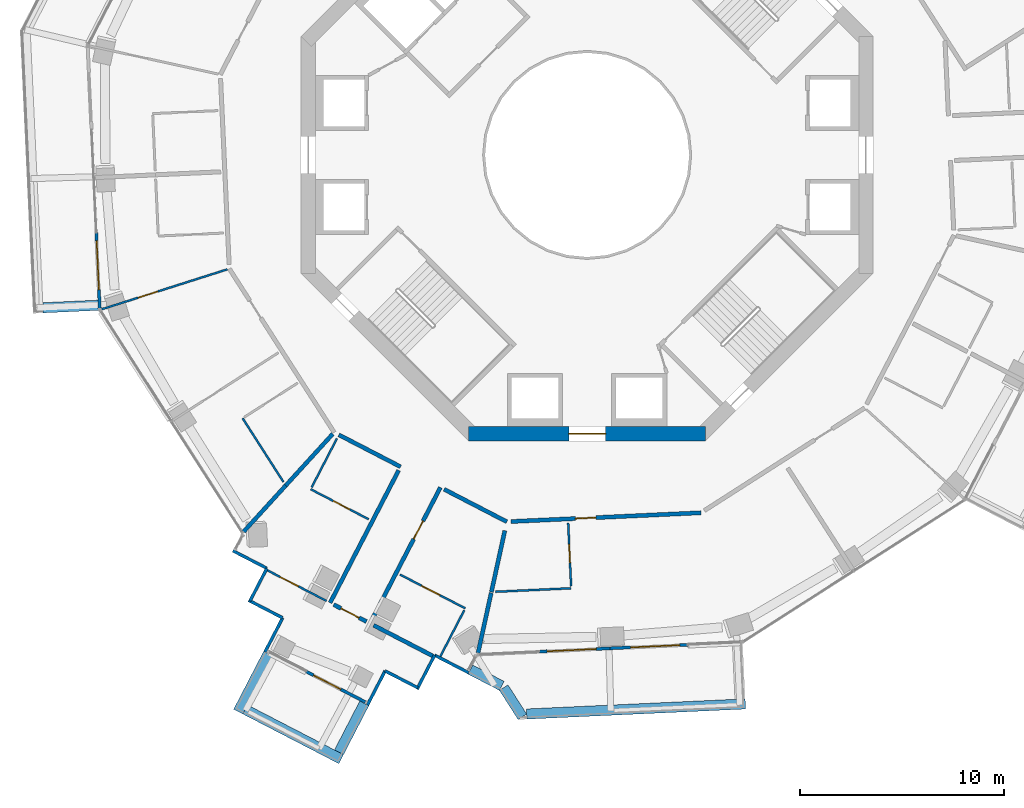
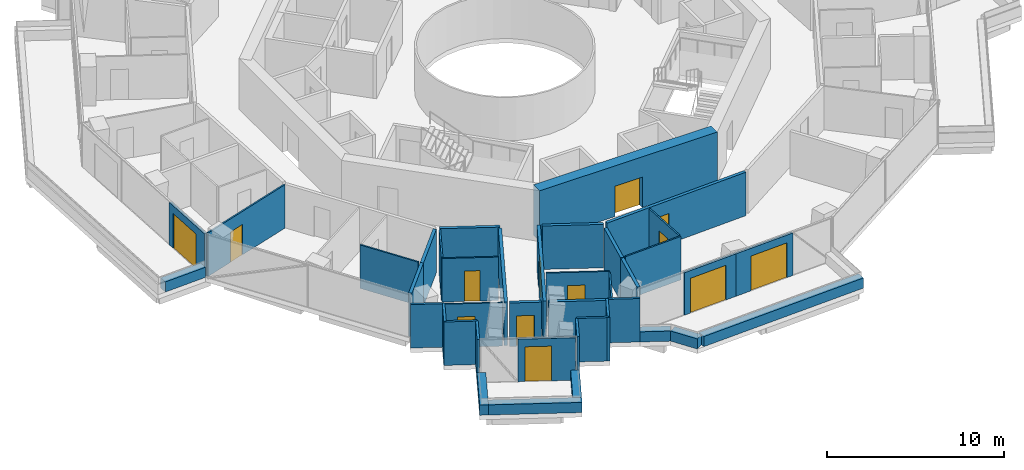
# One storey, part 14 of 22: 40 walls, 13 doors, 13 openings.
"""IFC4 building model written with IfcOpenShell, lengths in metres."""

from ifc_helpers import new_model, si_unit, direction, frame, frame_2d, origin, place, context, subcontext, project, spatial, rectangle, extrude, material, layer, layer_set, type_object, element, fill, save


model = new_model("IFC4")

# Units and contexts
model_context = context("Model", 3, precision=1e-05, world=origin(), true_north=direction((0.0, 1.0)))
body_context = subcontext(model_context, "Body", "Model", "MODEL_VIEW")
ifc_project = project(units=[si_unit("LENGTHUNIT", "METRE"), si_unit("AREAUNIT", "SQUARE_METRE"), si_unit("VOLUMEUNIT", "CUBIC_METRE"), si_unit("PLANEANGLEUNIT", "RADIAN"), si_unit("MASSUNIT", "GRAM", prefix="KILO")], contexts=[model_context])

# Site, building, storey
site_placement = place(None, origin())
site = spatial("IfcSite", under=ifc_project, at=site_placement, CompositionType="ELEMENT")
building_placement = place(site_placement, origin())
building = spatial("IfcBuilding", under=site, at=building_placement, Name="Verdalira Terraces Hotel", CompositionType="ELEMENT")
storey_placement = place(building_placement, frame((0.0, 0.0, 165.5)))
storey = spatial("IfcBuildingStorey", under=building, at=storey_placement, Name="L40", CompositionType="ELEMENT", Elevation=165.5)

# Walls
ifc_material_1 = material(Name="Concrete C40", Category="concrete")
ifc_layer_1 = layer(ifc_material_1, 0.5)
ifc_layer_set_1 = layer_set([ifc_layer_1], Name="Balcony planter trough with tree")
wall_type_1 = type_object("IfcWallType", Name="Balcony planter trough with tree", PredefinedType="SOLIDWALL", material=ifc_layer_set_1)
wall_1_placement = place(storey_placement, frame((-26.641846, -7.485107, 0.0), z_axis=(0.0, 0.0, 1.0), x_axis=(0.998939428, 0.046043663, 0.0)))
element("IfcWall", 1, at=wall_1_placement, inside=storey, type_object=wall_type_1, Name="Balcony planter", PredefinedType="SOLIDWALL", context=body_context, shape_type="SweptSolid", body=[
    extrude(rectangle(XDim=2.698975, YDim=0.5, at=frame_2d((1.349609, 0.0))), origin(), (0.0, 0.0, 1.0), 0.699951),
])
wall_2_placement = place(storey_placement, frame((-15.616699, -24.413086, 0.0), z_axis=(0.0, 0.0, 1.0), x_axis=(-0.459564087, -0.888144611, 0.0)))
element("IfcWall", 2, at=wall_2_placement, inside=storey, type_object=wall_type_1, Name="Balcony planter", PredefinedType="SOLIDWALL", context=body_context, shape_type="SweptSolid", body=[
    extrude(rectangle(XDim=3.199219, YDim=0.5, at=frame_2d((1.599609, 0.0))), origin(), (0.0, 0.0, 1.0), 0.699951),
])
wall_3_placement = place(storey_placement, frame((-16.75, -27.147217, 0.0), z_axis=(0.0, 0.0, 1.0), x_axis=(0.888131418, -0.459589583, 0.0)))
element("IfcWall", 3, at=wall_3_placement, inside=storey, type_object=wall_type_1, Name="Balcony planter", PredefinedType="SOLIDWALL", context=body_context, shape_type="SweptSolid", body=[
    extrude(rectangle(XDim=5.299805, YDim=0.5, at=frame_2d((2.649902, 0.0))), origin(), (0.0, 0.0, 1.0), 0.699951),
])
wall_4_placement = place(storey_placement, frame((-12.149902, -29.246094, 0.0), z_axis=(0.0, 0.0, 1.0), x_axis=(0.459509044, 0.888173091, 0.0)))
element("IfcWall", 4, at=wall_4_placement, inside=storey, type_object=wall_type_1, Name="Balcony planter", PredefinedType="SOLIDWALL", context=body_context, shape_type="SweptSolid", body=[
    extrude(rectangle(XDim=2.698975, YDim=0.5, at=frame_2d((1.349609, 0.0))), origin(), (0.0, 0.0, 1.0), 0.699951),
])
wall_5_placement = place(storey_placement, frame((-5.719482, -25.198486, 0.0), z_axis=(0.0, 0.0, 1.0), x_axis=(0.888106482, -0.459637768, 0.0)))
element("IfcWall", 5, at=wall_5_placement, inside=storey, type_object=wall_type_1, Name="Balcony planter", PredefinedType="SOLIDWALL", context=body_context, shape_type="SweptSolid", body=[
    extrude(rectangle(XDim=1.730957, YDim=0.5, at=frame_2d((0.865479, 0.0))), origin(), (0.0, 0.0, 1.0), 0.699951),
])
wall_6_placement = place(storey_placement, frame((-4.086426, -26.081299, 0.0), z_axis=(0.0, 0.0, 1.0), x_axis=(0.539315278, -0.842103931, 0.0)))
element("IfcWall", 6, at=wall_6_placement, inside=storey, type_object=wall_type_1, Name="Balcony planter", PredefinedType="SOLIDWALL", context=body_context, shape_type="SweptSolid", body=[
    extrude(rectangle(XDim=1.694824, YDim=0.5, at=frame_2d((0.847412, 0.0))), origin(), (0.0, 0.0, 1.0), 0.699951),
])
wall_7_placement = place(storey_placement, frame((-2.96167, -27.373779, 0.0), z_axis=(0.0, 0.0, 1.0), x_axis=(0.998939029, 0.046052319, 0.0)))
element("IfcWall", 7, at=wall_7_placement, inside=storey, type_object=wall_type_1, Name="Balcony planter", PredefinedType="SOLIDWALL", context=body_context, shape_type="SweptSolid", body=[
    extrude(rectangle(XDim=10.719482, YDim=0.5, at=frame_2d((5.359863, 0.0))), origin(), (0.0, 0.0, 1.0), 0.699951),
])

# Wall, opening, door
ifc_material_2 = material(Name="Moisture-resistant gypsum board partition")
ifc_layer_2 = layer(ifc_material_2, 0.10009765625)
ifc_layer_set_2 = layer_set([ifc_layer_2], Name="Bathroom partition 100 mm")
wall_type_2 = type_object("IfcWallType", Name="Bathroom partition 100 mm", PredefinedType="PARTITIONING", material=ifc_layer_set_2)
wall_8_placement = place(storey_placement, frame((-23.790283, -7.564941, 0.0), z_axis=(0.0, 0.0, 1.0), x_axis=(0.952980228, 0.303032482, 0.0)))
wall_8 = element("IfcWall", 8, at=wall_8_placement, inside=storey, type_object=wall_type_2, Name="Bathroom partition", PredefinedType="PARTITIONING", context=body_context, shape_type="SweptSolid", body=[
    extrude(rectangle(XDim=6.47583, YDim=0.100098, at=frame_2d((3.237793, 0.0))), origin(), (0.0, 0.0, 1.0), 3.0),
])
opening_1_placement = place(wall_8_placement, frame((1.899902, 0.0, 0.0)))
opening_1 = element("IfcOpeningElement", 9, at=opening_1_placement, cuts=wall_8, Name="Opening L40-112", PredefinedType="OPENING", context=body_context, shape_type="SweptSolid", body=[
    extrude(rectangle(XDim=1.0, YDim=2.100098, at=frame_2d((0.5, 1.050049))), frame((0.0, 0.060059, 0.0), z_axis=(0.0, -1.0, 0.0), x_axis=(1.0, 0.0, 0.0)), (0.0, 0.0, 1.0), 0.120117),
])
ifc_material_3 = material(Name="Timber door", Category="wood")
door_type_1 = type_object("IfcDoorType", Name="Suite internal door 1000 x 2100", OperationType="NOTDEFINED", PredefinedType="DOOR", material=ifc_material_3)
door_1_placement = place(opening_1_placement, origin())
door_1 = element("IfcDoor", 10, at=door_1_placement, inside=storey, type_object=door_type_1, Name="Suite internal door 4003", OperationType="SINGLE_SWING_LEFT", OverallHeight=2.10009765625, OverallWidth=1.0, PredefinedType="DOOR", context=body_context, shape_type="SweptSolid", body=[
    extrude(rectangle(XDim=1.0, YDim=2.100098, at=frame_2d((0.5, 1.050049))), frame((0.0, 0.024902, 0.0), z_axis=(0.0, -1.0, 0.0), x_axis=(1.0, 0.0, 0.0)), (0.0, 0.0, 1.0), 0.050049),
])
fill(opening_1, door_1)

# Wall
wall_9_placement = place(storey_placement, frame((-16.868652, -12.892578, 0.0), z_axis=(0.0, 0.0, 1.0), x_axis=(0.539351049, -0.842081021, 0.0)))
element("IfcWall", 11, at=wall_9_placement, inside=storey, type_object=wall_type_2, Name="Bathroom partition", PredefinedType="PARTITIONING", context=body_context, shape_type="SweptSolid", body=[
    extrude(rectangle(XDim=3.704102, YDim=0.100098, at=frame_2d((1.852051, 0.0))), origin(), (0.0, 0.0, 1.0), 3.0),
])

# Wall, opening, door
wall_10_placement = place(storey_placement, frame((-15.650879, -20.34082, 0.0), z_axis=(0.0, 0.0, 1.0), x_axis=(0.888124663, -0.459602636, 0.0)))
wall_10 = element("IfcWall", 12, at=wall_10_placement, inside=storey, type_object=wall_type_2, Name="Bathroom partition", PredefinedType="PARTITIONING", context=body_context, shape_type="SweptSolid", body=[
    extrude(rectangle(XDim=3.251953, YDim=0.100098, at=frame_2d((1.625977, 0.0))), origin(), (0.0, 0.0, 1.0), 3.0),
])
opening_2_placement = place(wall_10_placement, frame((0.699951, 0.0, 0.0)))
opening_2 = element("IfcOpeningElement", 13, at=opening_2_placement, cuts=wall_10, Name="Opening L40-117", PredefinedType="OPENING", context=body_context, shape_type="SweptSolid", body=[
    extrude(rectangle(XDim=1.0, YDim=2.100098, at=frame_2d((0.5, 1.050049))), frame((0.0, 0.060059, 0.0), z_axis=(0.0, -1.0, 0.0), x_axis=(1.0, 0.0, 0.0)), (0.0, 0.0, 1.0), 0.120117),
])
door_2_placement = place(opening_2_placement, origin())
door_2 = element("IfcDoor", 14, at=door_2_placement, inside=storey, type_object=door_type_1, Name="Suite internal door 4004", OperationType="SINGLE_SWING_LEFT", OverallHeight=2.10009765625, OverallWidth=1.0, PredefinedType="DOOR", context=body_context, shape_type="SweptSolid", body=[
    extrude(rectangle(XDim=1.0, YDim=2.100098, at=frame_2d((0.5, 1.050049))), frame((0.0, 0.024902, 0.0), z_axis=(0.0, -1.0, 0.0), x_axis=(1.0, 0.0, 0.0)), (0.0, 0.0, 1.0), 0.050049),
])
fill(opening_2, door_2)

# Wall
wall_11_placement = place(storey_placement, frame((-12.25, -13.881348, 0.0), z_axis=(0.0, 0.0, 1.0), x_axis=(-0.459540994, -0.88815656, 0.0)))
element("IfcWall", 15, at=wall_11_placement, inside=storey, type_object=wall_type_2, Name="Bathroom partition", PredefinedType="PARTITIONING", context=body_context, shape_type="SweptSolid", body=[
    extrude(rectangle(XDim=2.699951, YDim=0.100098, at=frame_2d((1.350098, 0.0))), origin(), (0.0, 0.0, 1.0), 3.0),
])

# Wall, opening, door
wall_12_placement = place(storey_placement, frame((-13.536621, -16.368164, 0.0), z_axis=(0.0, 0.0, 1.0), x_axis=(0.88813067, -0.459591028, 0.0)))
wall_12 = element("IfcWall", 16, at=wall_12_placement, inside=storey, type_object=wall_type_2, Name="Bathroom partition", PredefinedType="PARTITIONING", context=body_context, shape_type="SweptSolid", body=[
    extrude(rectangle(XDim=3.199951, YDim=0.100098, at=frame_2d((1.600098, 0.0))), origin(), (0.0, 0.0, 1.0), 3.0),
])
opening_3_placement = place(wall_12_placement, frame((1.25, 0.0, 0.0)))
opening_3 = element("IfcOpeningElement", 17, at=opening_3_placement, cuts=wall_12, Name="Opening L40-118", PredefinedType="OPENING", context=body_context, shape_type="SweptSolid", body=[
    extrude(rectangle(XDim=0.899902, YDim=2.100098, at=frame_2d((0.449951, 1.050049))), frame((0.0, 0.060059, 0.0), z_axis=(0.0, -1.0, 0.0), x_axis=(1.0, 0.0, 0.0)), (0.0, 0.0, 1.0), 0.120117),
])
ifc_material_4 = material(Name="Timber door", Category="wood")
door_type_2 = type_object("IfcDoorType", Name="Bathroom door 900 x 2100", OperationType="NOTDEFINED", PredefinedType="DOOR", material=ifc_material_4)
door_3_placement = place(opening_3_placement, origin())
door_3 = element("IfcDoor", 18, at=door_3_placement, inside=storey, type_object=door_type_2, Name="Bathroom door 4004", OperationType="SINGLE_SWING_LEFT", OverallHeight=2.10009765625, OverallWidth=0.89990234375, PredefinedType="DOOR", context=body_context, shape_type="SweptSolid", body=[
    extrude(rectangle(XDim=0.899902, YDim=2.100098, at=frame_2d((0.449951, 1.050049))), frame((0.0, 0.024902, 0.0), z_axis=(0.0, -1.0, 0.0), x_axis=(1.0, 0.0, 0.0)), (0.0, 0.0, 1.0), 0.050049),
])
fill(opening_3, door_3)

wall_13_placement = place(storey_placement, frame((-5.969482, -22.197998, 0.0), z_axis=(0.0, 0.0, 1.0), x_axis=(-0.888128879, 0.459594488, 0.0)))
wall_13 = element("IfcWall", 19, at=wall_13_placement, inside=storey, type_object=wall_type_2, Name="Bathroom partition", PredefinedType="PARTITIONING", context=body_context, shape_type="SweptSolid", body=[
    extrude(rectangle(XDim=3.600098, YDim=0.100098, at=frame_2d((1.800049, 0.0))), origin(), (0.0, 0.0, 1.0), 3.0),
])
opening_4_placement = place(wall_13_placement, frame((1.399902, 0.0, 0.0)))
opening_4 = element("IfcOpeningElement", 20, at=opening_4_placement, cuts=wall_13, Name="Opening L40-120", PredefinedType="OPENING", context=body_context, shape_type="SweptSolid", body=[
    extrude(rectangle(XDim=1.0, YDim=2.100098, at=frame_2d((0.5, 1.050049))), frame((0.0, 0.060059, 0.0), z_axis=(0.0, -1.0, 0.0), x_axis=(1.0, 0.0, 0.0)), (0.0, 0.0, 1.0), 0.120117),
])
ifc_material_5 = material(Name="Timber door", Category="wood")
door_type_3 = type_object("IfcDoorType", Name="Bathroom door 1000 x 2100", OperationType="NOTDEFINED", PredefinedType="DOOR", material=ifc_material_5)
door_4_placement = place(opening_4_placement, origin())
door_4 = element("IfcDoor", 21, at=door_4_placement, inside=storey, type_object=door_type_3, Name="Bathroom door 4005", OperationType="SINGLE_SWING_LEFT", OverallHeight=2.10009765625, OverallWidth=1.0, PredefinedType="DOOR", context=body_context, shape_type="SweptSolid", body=[
    extrude(rectangle(XDim=1.0, YDim=2.100098, at=frame_2d((0.5, 1.050049))), frame((0.0, 0.024902, 0.0), z_axis=(0.0, -1.0, 0.0), x_axis=(1.0, 0.0, 0.0)), (0.0, 0.0, 1.0), 0.050049),
])
fill(opening_4, door_4)

# Walls
wall_14_placement = place(storey_placement, frame((-6.015381, -22.286865, 0.0), z_axis=(0.0, 0.0, 1.0), x_axis=(-0.459654713, -0.888097712, 0.0)))
element("IfcWall", 22, at=wall_14_placement, inside=storey, type_object=wall_type_2, Name="Bathroom partition", PredefinedType="PARTITIONING", context=body_context, shape_type="SweptSolid", body=[
    extrude(rectangle(XDim=2.550049, YDim=0.100098, at=frame_2d((1.274902, 0.0))), origin(), (0.0, 0.0, 1.0), 3.0),
])
wall_15_placement = place(storey_placement, frame((-0.781982, -21.216797, 0.0), z_axis=(0.0, 0.0, 1.0), x_axis=(-0.998938011, -0.046074409, 0.0)))
element("IfcWall", 23, at=wall_15_placement, inside=storey, type_object=wall_type_2, Name="Bathroom partition", PredefinedType="PARTITIONING", context=body_context, shape_type="SweptSolid", body=[
    extrude(rectangle(XDim=3.703857, YDim=0.100098, at=frame_2d((1.852051, 0.0))), origin(), (0.0, 0.0, 1.0), 3.0),
])

# Wall, opening, door
wall_16_placement = place(storey_placement, frame((-0.786621, -21.116943, 0.0), z_axis=(0.0, 0.0, 1.0), x_axis=(-0.045993533, 0.998941737, 0.0)))
wall_16 = element("IfcWall", 24, at=wall_16_placement, inside=storey, type_object=wall_type_2, Name="Bathroom partition", PredefinedType="PARTITIONING", context=body_context, shape_type="SweptSolid", body=[
    extrude(rectangle(XDim=3.099854, YDim=0.100098, at=frame_2d((1.549805, 0.0))), origin(), (0.0, 0.0, 1.0), 3.0),
])
opening_5_placement = place(wall_16_placement, frame((1.149902, 0.0, 0.0)))
opening_5 = element("IfcOpeningElement", 25, at=opening_5_placement, cuts=wall_16, Name="Opening L40-122", PredefinedType="OPENING", context=body_context, shape_type="SweptSolid", body=[
    extrude(rectangle(XDim=0.899902, YDim=2.100098, at=frame_2d((0.449951, 1.050049))), frame((0.0, 0.060059, 0.0), z_axis=(0.0, -1.0, 0.0), x_axis=(1.0, 0.0, 0.0)), (0.0, 0.0, 1.0), 0.120117),
])
door_5_placement = place(opening_5_placement, origin())
door_5 = element("IfcDoor", 26, at=door_5_placement, inside=storey, type_object=door_type_2, Name="Bathroom door 4006", OperationType="SINGLE_SWING_LEFT", OverallHeight=2.10009765625, OverallWidth=0.89990234375, PredefinedType="DOOR", context=body_context, shape_type="SweptSolid", body=[
    extrude(rectangle(XDim=0.899902, YDim=2.100098, at=frame_2d((0.449951, 1.050049))), frame((0.0, 0.024902, 0.0), z_axis=(0.0, -1.0, 0.0), x_axis=(1.0, 0.0, 0.0)), (0.0, 0.0, 1.0), 0.050049),
])
fill(opening_5, door_5)

ifc_material_6 = material(Name="Concrete C60", Category="concrete")
ifc_layer_3 = layer(ifc_material_6, 0.699951171875)
ifc_layer_set_3 = layer_set([ifc_layer_3], Name="Core wall 700 C60")
wall_type_3 = type_object("IfcWallType", Name="Core wall 700 C60", PredefinedType="SHEAR", material=ifc_layer_set_3)
wall_17_placement = place(storey_placement, frame((-5.799072, -13.649902, 0.0), z_axis=(0.0, 0.0, 1.0), x_axis=(1.0, 0.0, 0.0)))
wall_17 = element("IfcWall", 27, at=wall_17_placement, inside=storey, type_object=wall_type_3, Name="Core wall CW-L40-7", PredefinedType="SHEAR", context=body_context, shape_type="SweptSolid", body=[
    extrude(rectangle(XDim=11.598145, YDim=0.699951, at=frame_2d((5.799072, 0.0))), origin(), (0.0, 0.0, 1.0), 3.5),
])
opening_6_placement = place(wall_17_placement, frame((4.898926, 0.0, 0.0)))
opening_6 = element("IfcOpeningElement", 28, at=opening_6_placement, cuts=wall_17, Name="Opening L40-815", PredefinedType="OPENING", context=body_context, shape_type="SweptSolid", body=[
    extrude(rectangle(XDim=1.800049, YDim=2.100098, at=frame_2d((0.899902, 1.050049))), frame((0.0, 0.359863, 0.0), z_axis=(0.0, -1.0, 0.0), x_axis=(1.0, 0.0, 0.0)), (0.0, 0.0, 1.0), 0.719971),
])
ifc_material_7 = material(Name="Steel fire door", Category="steel")
door_type_4 = type_object("IfcDoorType", Name="Core entry door pair 1800 x 2100", OperationType="NOTDEFINED", PredefinedType="DOOR", material=ifc_material_7)
door_6_placement = place(opening_6_placement, origin())
door_6 = element("IfcDoor", 29, at=door_6_placement, inside=storey, type_object=door_type_4, Name="Core entry door L40 6", OperationType="DOUBLE_DOOR_SINGLE_SWING", OverallHeight=2.10009765625, OverallWidth=1.800048828125, PredefinedType="DOOR", context=body_context, shape_type="SweptSolid", body=[
    extrude(rectangle(XDim=1.800049, YDim=2.100098, at=frame_2d((0.899902, 1.050049))), frame((0.0, 0.024902, 0.0), z_axis=(0.0, -1.0, 0.0), x_axis=(1.0, 0.0, 0.0)), (0.0, 0.0, 1.0), 0.050049),
])
fill(opening_6, door_6)

# Walls
ifc_material_8 = material(Name="Fire-rated gypsum board wall")
ifc_layer_4 = layer(ifc_material_8, 0.199951171875)
ifc_layer_set_4 = layer_set([ifc_layer_4], Name="Demising wall 200 mm")
wall_type_4 = type_object("IfcWallType", Name="Demising wall 200 mm", PredefinedType="SOLIDWALL", material=ifc_layer_set_4)
wall_18_placement = place(storey_placement, frame((-14.759033, -16.186035, 0.0), z_axis=(0.0, 0.0, 1.0), x_axis=(-0.673839723, -0.738877546, 0.0)))
element("IfcWall", 30, at=wall_18_placement, inside=storey, type_object=wall_type_4, Name="Demising wall", PredefinedType="SOLIDWALL", context=body_context, shape_type="SweptSolid", body=[
    extrude(rectangle(XDim=3.059326, YDim=0.199951, at=frame_2d((1.529785, 0.0))), origin(), (0.0, 0.0, 1.0), 3.0),
])
wall_19_placement = place(storey_placement, frame((-12.457275, -13.661621, 0.0), z_axis=(0.0, 0.0, 1.0), x_axis=(-0.673767631, -0.738943286, 0.0)))
element("IfcWall", 31, at=wall_19_placement, inside=storey, type_object=wall_type_4, Name="Demising wall", PredefinedType="SOLIDWALL", context=body_context, shape_type="SweptSolid", body=[
    extrude(rectangle(XDim=3.41626, YDim=0.199951, at=frame_2d((1.708008, 0.0))), origin(), (0.0, 0.0, 1.0), 3.0),
])
wall_20_placement = place(storey_placement, frame((-10.455322, -23.029297, 0.0), z_axis=(0.0, 0.0, 1.0), x_axis=(0.888124663, -0.459602636, 0.0)))
element("IfcWall", 32, at=wall_20_placement, inside=storey, type_object=wall_type_4, Name="Demising wall", PredefinedType="SOLIDWALL", context=body_context, shape_type="SweptSolid", body=[
    extrude(rectangle(XDim=3.251953, YDim=0.199951, at=frame_2d((1.625977, 0.0))), origin(), (0.0, 0.0, 1.0), 3.0),
])
wall_21_placement = place(storey_placement, frame((-4.698975, -21.443848, 0.0), z_axis=(0.0, 0.0, 1.0), x_axis=(-0.214028103, -0.976827503, 0.0)))
element("IfcWall", 33, at=wall_21_placement, inside=storey, type_object=wall_type_4, Name="Demising wall", PredefinedType="SOLIDWALL", context=body_context, shape_type="SweptSolid", body=[
    extrude(rectangle(XDim=3.011475, YDim=0.199951, at=frame_2d((1.505859, 0.0))), origin(), (0.0, 0.0, 1.0), 3.0),
])
wall_22_placement = place(storey_placement, frame((-4.031006, -18.395508, 0.0), z_axis=(0.0, 0.0, 1.0), x_axis=(-0.214071013, -0.976818101, 0.0)))
element("IfcWall", 34, at=wall_22_placement, inside=storey, type_object=wall_type_4, Name="Demising wall", PredefinedType="SOLIDWALL", context=body_context, shape_type="SweptSolid", body=[
    extrude(rectangle(XDim=3.074707, YDim=0.199951, at=frame_2d((1.537354, 0.0))), origin(), (0.0, 0.0, 1.0), 3.0),
])

# Wall, opening, door
ifc_material_9 = material(Name="Fire-rated gypsum board wall")
ifc_layer_5 = layer(ifc_material_9, 0.199951171875)
ifc_layer_set_5 = layer_set([ifc_layer_5], Name="Guest corridor wall 200 mm")
wall_type_5 = type_object("IfcWallType", Name="Guest corridor wall 200 mm", PredefinedType="SOLIDWALL", material=ifc_layer_set_5)
wall_23_placement = place(storey_placement, frame((-10.807129, -22.847412, 0.0), z_axis=(0.0, 0.0, 1.0), x_axis=(-0.888114781, 0.459621731, 0.0)))
wall_23 = element("IfcWall", 35, at=wall_23_placement, inside=storey, type_object=wall_type_5, Name="Guest corridor wall", PredefinedType="SOLIDWALL", context=body_context, shape_type="SweptSolid", body=[
    extrude(rectangle(XDim=1.803955, YDim=0.199951, at=frame_2d((0.901855, 0.0))), origin(), (0.0, 0.0, 1.0), 3.0),
])
opening_7_placement = place(wall_23_placement, frame((0.399902, 0.0, 0.0)))
opening_7 = element("IfcOpeningElement", 36, at=opening_7_placement, cuts=wall_23, Name="Opening L40-116", PredefinedType="OPENING", context=body_context, shape_type="SweptSolid", body=[
    extrude(rectangle(XDim=1.0, YDim=2.100098, at=frame_2d((0.5, 1.050049))), frame((0.0, 0.109863, 0.0), z_axis=(0.0, -1.0, 0.0), x_axis=(1.0, 0.0, 0.0)), (0.0, 0.0, 1.0), 0.219971),
])
ifc_material_10 = material(Name="Timber fire door", Category="wood")
door_type_5 = type_object("IfcDoorType", Name="Guest entry door 1000 x 2100", OperationType="NOTDEFINED", PredefinedType="DOOR", material=ifc_material_10)
door_7_placement = place(opening_7_placement, origin())
door_7 = element("IfcDoor", 37, at=door_7_placement, inside=storey, type_object=door_type_5, Name="Guest entry door 4004", OperationType="SINGLE_SWING_LEFT", OverallHeight=2.10009765625, OverallWidth=1.0, PredefinedType="DOOR", context=body_context, shape_type="SweptSolid", body=[
    extrude(rectangle(XDim=1.0, YDim=2.100098, at=frame_2d((0.5, 1.050049))), frame((0.0, 0.024902, 0.0), z_axis=(0.0, -1.0, 0.0), x_axis=(1.0, 0.0, 0.0)), (0.0, 0.0, 1.0), 0.050049),
])
fill(opening_7, door_7)

# Walls
wall_24_placement = place(storey_placement, frame((-9.230225, -15.443848, 0.0), z_axis=(0.0, 0.0, 1.0), x_axis=(-0.45958486, -0.888133862, 0.0)))
element("IfcWall", 38, at=wall_24_placement, inside=storey, type_object=wall_type_5, Name="Guest corridor wall", PredefinedType="SOLIDWALL", context=body_context, shape_type="SweptSolid", body=[
    extrude(rectangle(XDim=7.300049, YDim=0.199951, at=frame_2d((3.649902, 0.0))), origin(), (0.0, 0.0, 1.0), 3.0),
])
wall_25_placement = place(storey_placement, frame((-12.157959, -13.703613, 0.0), z_axis=(0.0, 0.0, 1.0), x_axis=(0.888122651, -0.459606524, 0.0)))
element("IfcWall", 39, at=wall_25_placement, inside=storey, type_object=wall_type_5, Name="Guest corridor wall", PredefinedType="SOLIDWALL", context=body_context, shape_type="SweptSolid", body=[
    extrude(rectangle(XDim=3.400146, YDim=0.199951, at=frame_2d((1.700195, 0.0))), origin(), (0.0, 0.0, 1.0), 3.0),
])

# Wall, opening, door
wall_26_placement = place(storey_placement, frame((-7.184326, -16.277344, 0.0), z_axis=(0.0, 0.0, 1.0), x_axis=(-0.459592049, -0.888130142, 0.0)))
wall_26 = element("IfcWall", 40, at=wall_26_placement, inside=storey, type_object=wall_type_5, Name="Guest corridor wall", PredefinedType="SOLIDWALL", context=body_context, shape_type="SweptSolid", body=[
    extrude(rectangle(XDim=7.500244, YDim=0.199951, at=frame_2d((3.75, 0.0))), origin(), (0.0, 0.0, 1.0), 3.0),
])
opening_8_placement = place(wall_26_placement, frame((1.850098, 0.0, 0.0)))
opening_8 = element("IfcOpeningElement", 41, at=opening_8_placement, cuts=wall_26, Name="Opening L40-119", PredefinedType="OPENING", context=body_context, shape_type="SweptSolid", body=[
    extrude(rectangle(XDim=1.0, YDim=2.100098, at=frame_2d((0.5, 1.050049))), frame((0.0, 0.109863, 0.0), z_axis=(0.0, -1.0, 0.0), x_axis=(1.0, 0.0, 0.0)), (0.0, 0.0, 1.0), 0.219971),
])
door_8_placement = place(opening_8_placement, origin())
door_8 = element("IfcDoor", 42, at=door_8_placement, inside=storey, type_object=door_type_5, Name="Guest entry door 4005", OperationType="SINGLE_SWING_LEFT", OverallHeight=2.10009765625, OverallWidth=1.0, PredefinedType="DOOR", context=body_context, shape_type="SweptSolid", body=[
    extrude(rectangle(XDim=1.0, YDim=2.100098, at=frame_2d((0.5, 1.050049))), frame((0.0, 0.024902, 0.0), z_axis=(0.0, -1.0, 0.0), x_axis=(1.0, 0.0, 0.0)), (0.0, 0.0, 1.0), 0.050049),
])
fill(opening_8, door_8)

# Wall
wall_27_placement = place(storey_placement, frame((-7.006836, -16.369385, 0.0), z_axis=(0.0, 0.0, 1.0), x_axis=(0.88814313, -0.459566948, 0.0)))
element("IfcWall", 43, at=wall_27_placement, inside=storey, type_object=wall_type_5, Name="Guest corridor wall", PredefinedType="SOLIDWALL", context=body_context, shape_type="SweptSolid", body=[
    extrude(rectangle(XDim=3.458496, YDim=0.199951, at=frame_2d((1.729248, 0.0))), origin(), (0.0, 0.0, 1.0), 3.0),
])

# Wall, opening, door
wall_28_placement = place(storey_placement, frame((5.570801, -17.520264, 0.0), z_axis=(0.0, 0.0, 1.0), x_axis=(-0.998938225, -0.046069766, 0.0)))
wall_28 = element("IfcWall", 44, at=wall_28_placement, inside=storey, type_object=wall_type_5, Name="Guest corridor wall", PredefinedType="SOLIDWALL", context=body_context, shape_type="SweptSolid", body=[
    extrude(rectangle(XDim=9.316406, YDim=0.199951, at=frame_2d((4.658203, 0.0))), origin(), (0.0, 0.0, 1.0), 3.0),
])
opening_9_placement = place(wall_28_placement, frame((5.149902, 0.0, 0.0)))
opening_9 = element("IfcOpeningElement", 45, at=opening_9_placement, cuts=wall_28, Name="Opening L40-121", PredefinedType="OPENING", context=body_context, shape_type="SweptSolid", body=[
    extrude(rectangle(XDim=1.0, YDim=2.100098, at=frame_2d((0.5, 1.050049))), frame((0.0, 0.109863, 0.0), z_axis=(0.0, -1.0, 0.0), x_axis=(1.0, 0.0, 0.0)), (0.0, 0.0, 1.0), 0.219971),
])
door_9_placement = place(opening_9_placement, origin())
door_9 = element("IfcDoor", 46, at=door_9_placement, inside=storey, type_object=door_type_5, Name="Guest entry door 4006", OperationType="SINGLE_SWING_LEFT", OverallHeight=2.10009765625, OverallWidth=1.0, PredefinedType="DOOR", context=body_context, shape_type="SweptSolid", body=[
    extrude(rectangle(XDim=1.0, YDim=2.100098, at=frame_2d((0.5, 1.050049))), frame((0.0, 0.024902, 0.0), z_axis=(0.0, -1.0, 0.0), x_axis=(1.0, 0.0, 0.0)), (0.0, 0.0, 1.0), 0.050049),
])
fill(opening_9, door_9)

# Walls
ifc_material_11 = material(Name="Terracotta cladding", Category="masonry")
ifc_layer_6 = layer(ifc_material_11, 0.14990234375)
ifc_layer_set_6 = layer_set([ifc_layer_6], Name="Terracotta clad wall 150")
wall_type_6 = type_object("IfcWallType", Name="Terracotta clad wall 150", PredefinedType="SOLIDWALL", material=ifc_layer_set_6)
wall_29_placement = place(storey_placement, frame((-17.34668, -19.378906, 0.0), z_axis=(0.0, 0.0, 1.0), x_axis=(0.888116855, -0.459617724, 0.0)))
element("IfcWall", 47, at=wall_29_placement, inside=storey, type_object=wall_type_6, Name="Terracotta cladding wall", PredefinedType="SOLIDWALL", context=body_context, shape_type="SweptSolid", body=[
    extrude(rectangle(XDim=1.875, YDim=0.149902, at=frame_2d((0.9375, 0.0))), origin(), (0.0, 0.0, 1.0), 3.0),
])
wall_30_placement = place(storey_placement, frame((-15.681396, -20.240723, 0.0), z_axis=(0.0, 0.0, 1.0), x_axis=(-0.459540994, -0.88815656, 0.0)))
element("IfcWall", 48, at=wall_30_placement, inside=storey, type_object=wall_type_6, Name="Terracotta cladding wall", PredefinedType="SOLIDWALL", context=body_context, shape_type="SweptSolid", body=[
    extrude(rectangle(XDim=1.800049, YDim=0.149902, at=frame_2d((0.899902, 0.0))), origin(), (0.0, 0.0, 1.0), 3.0),
])
for number, where, z_axis, x_axis, name in (
    (49, (-16.575195, -21.804932, 0.0), (0.0, 0.0, 1.0), (0.88817, -0.459515017, 0.0), "Terracotta cladding wall"),
    (50, (-14.909912, -22.666504, 0.0), (0.0, 0.0, 1.0), (-0.459617724, -0.888116855, 0.0), "Terracotta cladding wall"),
    (51, (-10.753662, -26.928467, 0.0), (0.0, 0.0, 1.0), (0.459515017, 0.88817, 0.0), "Terracotta cladding wall"),
):
    element("IfcWall", number, at=place(storey_placement, frame(where, z_axis=z_axis, x_axis=x_axis)), inside=storey, type_object=wall_type_6, Name=name, PredefinedType="SOLIDWALL", context=body_context, shape_type="SweptSolid", body=[
        extrude(rectangle(XDim=1.875, YDim=0.149902, at=frame_2d((0.9375, 0.0))), origin(), (0.0, 0.0, 1.0), 3.0),
    ])
wall_31_placement = place(storey_placement, frame((-9.89209, -25.263184, 0.0), z_axis=(0.0, 0.0, 1.0), x_axis=(0.88815656, -0.459540994, 0.0)))
element("IfcWall", 52, at=wall_31_placement, inside=storey, type_object=wall_type_6, Name="Terracotta cladding wall", PredefinedType="SOLIDWALL", context=body_context, shape_type="SweptSolid", body=[
    extrude(rectangle(XDim=1.800049, YDim=0.149902, at=frame_2d((0.899902, 0.0))), origin(), (0.0, 0.0, 1.0), 3.0),
])
for number, where, z_axis, x_axis, name in (
    (53, (-8.327881, -26.156982, 0.0), (0.0, 0.0, 1.0), (0.459617724, 0.888116855, 0.0), "Terracotta cladding wall"),
    (54, (-7.466064, -24.491699, 0.0), (0.0, 0.0, 1.0), (0.888116855, -0.459617724, 0.0), "Terracotta cladding wall"),
):
    element("IfcWall", number, at=place(storey_placement, frame(where, z_axis=z_axis, x_axis=x_axis)), inside=storey, type_object=wall_type_6, Name=name, PredefinedType="SOLIDWALL", context=body_context, shape_type="SweptSolid", body=[
        extrude(rectangle(XDim=1.875, YDim=0.149902, at=frame_2d((0.9375, 0.0))), origin(), (0.0, 0.0, 1.0), 3.0),
    ])

# Wall, opening, door
ifc_material_12 = material(Name="Terracotta cladding", Category="masonry")
ifc_layer_7 = layer(ifc_material_12, 0.14990234375)
ifc_layer_set_7 = layer_set([ifc_layer_7], Name="Terracotta door pier 150")
wall_type_7 = type_object("IfcWallType", Name="Terracotta door pier 150", PredefinedType="SOLIDWALL", material=ifc_layer_set_7)
wall_32_placement = place(storey_placement, frame((-24.033691, -3.800781, 0.0), z_axis=(0.0, 0.0, 1.0), x_axis=(0.046064357, -0.998938474, 0.0)))
wall_32 = element("IfcWall", 55, at=wall_32_placement, inside=storey, type_object=wall_type_7, Name="Terracotta door pier", PredefinedType="SOLIDWALL", context=body_context, shape_type="SweptSolid", body=[
    extrude(rectangle(XDim=3.709961, YDim=0.149902, at=frame_2d((1.85498, 0.0))), origin(), (0.0, 0.0, 1.0), 2.935059),
])
opening_10_placement = place(wall_32_placement, frame((0.399902, 0.0, 0.0)))
opening_10 = element("IfcOpeningElement", 56, at=opening_10_placement, cuts=wall_32, Name="Opening L40-B04", PredefinedType="OPENING", context=body_context, shape_type="SweptSolid", body=[
    extrude(rectangle(XDim=2.399902, YDim=2.399902, at=frame_2d((1.199951, 1.199951))), frame((0.0, 0.084961, 0.0), z_axis=(0.0, -1.0, 0.0), x_axis=(1.0, 0.0, 0.0)), (0.0, 0.0, 1.0), 0.169922),
])
ifc_material_13 = material(Name="Clear glass", Category="glass")
door_type_6 = type_object("IfcDoorType", Name="Balcony sliding door 2400x2400", OperationType="NOTDEFINED", PredefinedType="DOOR", material=ifc_material_13)
door_10_placement = place(opening_10_placement, origin())
door_10 = element("IfcDoor", 57, at=door_10_placement, inside=storey, type_object=door_type_6, Name="Balcony sliding door", OperationType="SLIDING_TO_RIGHT", OverallHeight=2.39990234375, OverallWidth=2.39990234375, PredefinedType="DOOR", context=body_context, shape_type="SweptSolid", body=[
    extrude(rectangle(XDim=2.399902, YDim=2.399902, at=frame_2d((1.199951, 1.199951))), frame((0.0, 0.024902, 0.0), z_axis=(0.0, -1.0, 0.0), x_axis=(1.0, 0.0, 0.0)), (0.0, 0.0, 1.0), 0.050049),
])
fill(opening_10, door_10)

wall_33_placement = place(storey_placement, frame((-13.752197, -25.29248, 0.0), z_axis=(0.0, 0.0, 1.0), x_axis=(0.888155458, -0.459543123, 0.0)))
wall_33 = element("IfcWall", 58, at=wall_33_placement, inside=storey, type_object=wall_type_7, Name="Terracotta door pier", PredefinedType="SOLIDWALL", context=body_context, shape_type="SweptSolid", body=[
    extrude(rectangle(XDim=3.259766, YDim=0.149902, at=frame_2d((1.629883, 0.0))), origin(), (0.0, 0.0, 1.0), 2.935059),
])
opening_11_placement = place(wall_33_placement, frame((0.399902, 0.0, 0.0)))
opening_11 = element("IfcOpeningElement", 59, at=opening_11_placement, cuts=wall_33, Name="Opening L40-B05", PredefinedType="OPENING", context=body_context, shape_type="SweptSolid", body=[
    extrude(rectangle(XDim=1.5, YDim=2.399902, at=frame_2d((0.75, 1.199951))), frame((0.0, 0.084961, 0.0), z_axis=(0.0, -1.0, 0.0), x_axis=(1.0, 0.0, 0.0)), (0.0, 0.0, 1.0), 0.169922),
])
ifc_material_14 = material(Name="Clear glass", Category="glass")
door_type_7 = type_object("IfcDoorType", Name="Balcony sliding door 1500x2400", OperationType="NOTDEFINED", PredefinedType="DOOR", material=ifc_material_14)
door_11_placement = place(opening_11_placement, origin())
door_11 = element("IfcDoor", 60, at=door_11_placement, inside=storey, type_object=door_type_7, Name="Balcony sliding door", OperationType="SLIDING_TO_RIGHT", OverallHeight=2.39990234375, OverallWidth=1.5, PredefinedType="DOOR", context=body_context, shape_type="SweptSolid", body=[
    extrude(rectangle(XDim=1.5, YDim=2.399902, at=frame_2d((0.75, 1.199951))), frame((0.0, 0.024902, 0.0), z_axis=(0.0, -1.0, 0.0), x_axis=(1.0, 0.0, 0.0)), (0.0, 0.0, 1.0), 0.050049),
])
fill(opening_11, door_11)

wall_34_placement = place(storey_placement, frame((-2.357422, -24.317627, 0.0), z_axis=(0.0, 0.0, 1.0), x_axis=(0.998940688, 0.046016327, 0.0)))
wall_34 = element("IfcWall", 61, at=wall_34_placement, inside=storey, type_object=wall_type_7, Name="Terracotta door pier", PredefinedType="SOLIDWALL", context=body_context, shape_type="SweptSolid", body=[
    extrude(rectangle(XDim=3.475098, YDim=0.149902, at=frame_2d((1.737549, 0.0))), origin(), (0.0, 0.0, 1.0), 2.935059),
])
opening_12_placement = place(wall_34_placement, frame((0.399902, 0.0, 0.0)))
opening_12 = element("IfcOpeningElement", 62, at=opening_12_placement, cuts=wall_34, Name="Opening L40-B06", PredefinedType="OPENING", context=body_context, shape_type="SweptSolid", body=[
    extrude(rectangle(XDim=2.399902, YDim=2.399902, at=frame_2d((1.199951, 1.199951))), frame((0.0, 0.084961, 0.0), z_axis=(0.0, -1.0, 0.0), x_axis=(1.0, 0.0, 0.0)), (0.0, 0.0, 1.0), 0.169922),
])
door_12_placement = place(opening_12_placement, origin())
door_12 = element("IfcDoor", 63, at=door_12_placement, inside=storey, type_object=door_type_6, Name="Balcony sliding door", OperationType="SLIDING_TO_RIGHT", OverallHeight=2.39990234375, OverallWidth=2.39990234375, PredefinedType="DOOR", context=body_context, shape_type="SweptSolid", body=[
    extrude(rectangle(XDim=2.399902, YDim=2.399902, at=frame_2d((1.199951, 1.199951))), frame((0.0, 0.024902, 0.0), z_axis=(0.0, -1.0, 0.0), x_axis=(1.0, 0.0, 0.0)), (0.0, 0.0, 1.0), 0.050049),
])
fill(opening_12, door_12)

wall_35_placement = place(storey_placement, frame((1.114014, -24.157715, 0.0), z_axis=(0.0, 0.0, 1.0), x_axis=(0.99893729, 0.046090026, 0.0)))
wall_35 = element("IfcWall", 64, at=wall_35_placement, inside=storey, type_object=wall_type_7, Name="Terracotta door pier", PredefinedType="SOLIDWALL", context=body_context, shape_type="SweptSolid", body=[
    extrude(rectangle(XDim=3.813965, YDim=0.149902, at=frame_2d((1.906982, 0.0))), origin(), (0.0, 0.0, 1.0), 2.935059),
])
opening_13_placement = place(wall_35_placement, frame((1.013916, 0.0, 0.0)))
opening_13 = element("IfcOpeningElement", 65, at=opening_13_placement, cuts=wall_35, Name="Opening L40-B07", PredefinedType="OPENING", context=body_context, shape_type="SweptSolid", body=[
    extrude(rectangle(XDim=2.399902, YDim=2.399902, at=frame_2d((1.199951, 1.199951))), frame((0.0, 0.084961, 0.0), z_axis=(0.0, -1.0, 0.0), x_axis=(1.0, 0.0, 0.0)), (0.0, 0.0, 1.0), 0.169922),
])
door_13_placement = place(opening_13_placement, origin())
door_13 = element("IfcDoor", 66, at=door_13_placement, inside=storey, type_object=door_type_6, Name="Balcony sliding door", OperationType="SLIDING_TO_LEFT", OverallHeight=2.39990234375, OverallWidth=2.39990234375, PredefinedType="DOOR", context=body_context, shape_type="SweptSolid", body=[
    extrude(rectangle(XDim=2.399902, YDim=2.399902, at=frame_2d((1.199951, 1.199951))), frame((0.0, 0.024902, 0.0), z_axis=(0.0, -1.0, 0.0), x_axis=(1.0, 0.0, 0.0)), (0.0, 0.0, 1.0), 0.050049),
])
fill(opening_13, door_13)

save(model, "model.ifc")
